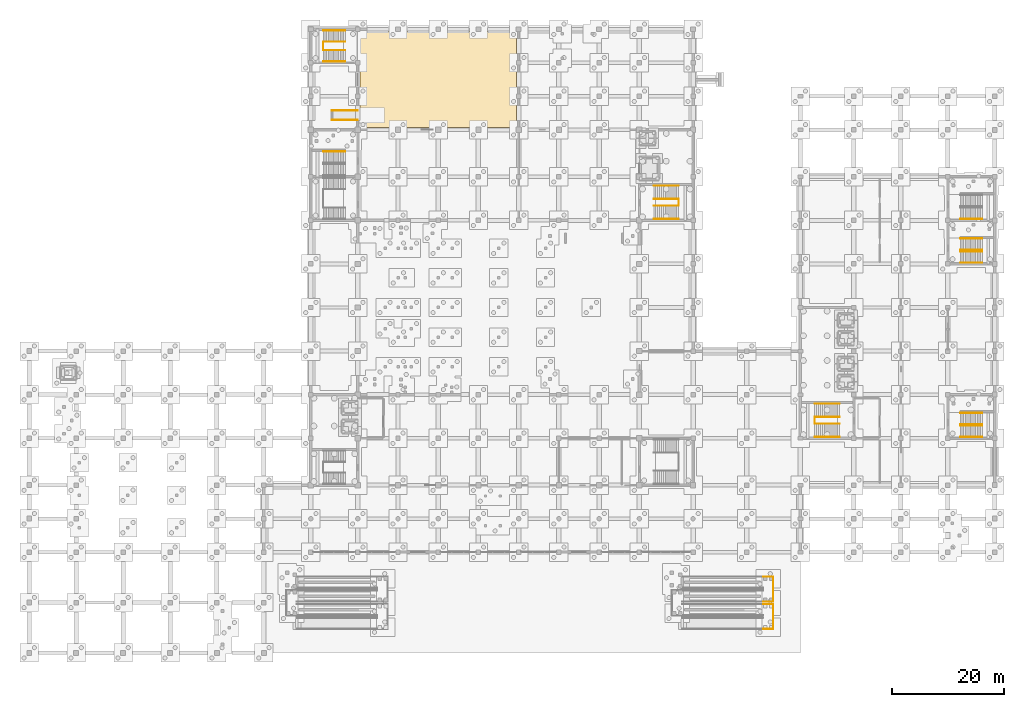
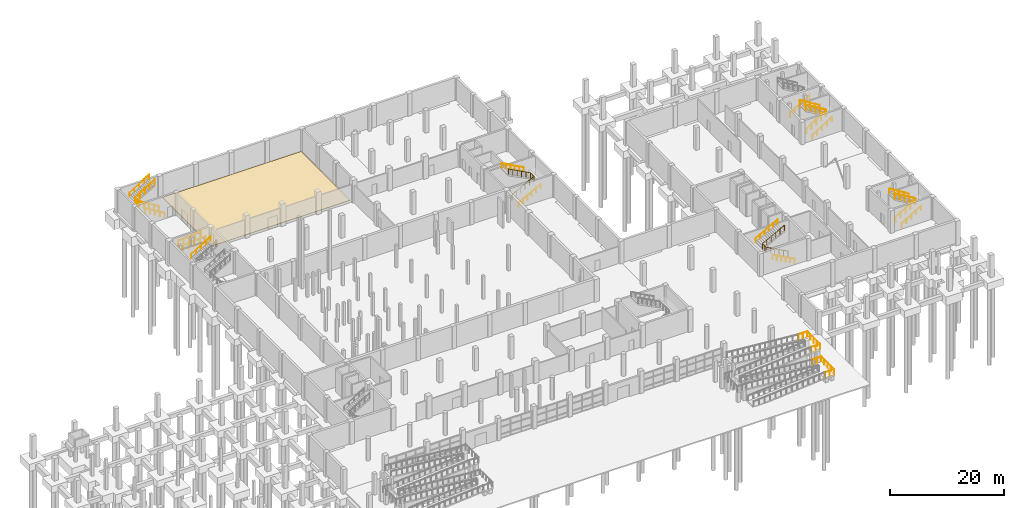
# One storey, part 40 of 42: 21 railings, 1 covering.
"""IFC4 building model written with IfcOpenShell, lengths in metres."""

import ifcopenshell
import ifcopenshell.guid

model = None  # the IFC model being written
_history = None  # IfcOwnerHistory: only IFC2X3 demands one
_inside = {}  # id of a spatial element -> (the spatial element, [elements in it])
_under = {}  # id of a project, library or spatial element -> (it, [spatial elements below it])
_declared = {}  # id of a project -> (the project, [libraries it declares])
_typed = {}  # id of a type object -> (the type object, [elements of that type])
_made_of = {}  # id of a material, layer set ... -> (it, [elements and type objects made of it])


def new_model(schema):
    """Start an empty IFC model of exactly this schema.

    Asked for "IFC4X3", IfcOpenShell would pick the latest addendum, in which some entities
    have other attributes; the version numbers below select the first issue.
    IFC2X3 requires an IfcOwnerHistory on every rooted entity: one is made here for all.
    """
    global model, _history
    if schema == "IFC4X3":
        model = ifcopenshell.file(schema_version=(4, 3, 0, 0))
    else:
        model = ifcopenshell.file(schema=schema)
    _inside.clear()
    _under.clear()
    _declared.clear()
    _typed.clear()
    _made_of.clear()
    _history = None
    if model.schema == "IFC2X3":
        org = make("IfcOrganization", Name="unknown")
        user = make(
            "IfcPersonAndOrganization",
            ThePerson=make("IfcPerson", FamilyName="unknown"),
            TheOrganization=org,
        )
        app = make(
            "IfcApplication",
            ApplicationDeveloper=org,
            Version="unknown",
            ApplicationFullName="unknown",
            ApplicationIdentifier="unknown",
        )
        _history = make(
            "IfcOwnerHistory",
            OwningUser=user,
            OwningApplication=app,
            ChangeAction="ADDED",
            CreationDate=0,
        )
    return model


def make(cls, **values):
    """One entity of the class cls with the attributes given. An attribute that is None is left unset."""
    return model.create_entity(
        cls, **{name: value for name, value in values.items() if value is not None}
    )


def rooted(cls, **values):
    """An entity with a GlobalId (a new one), such as an element, a storey or a relation."""
    return make(cls, GlobalId=ifcopenshell.guid.new(), OwnerHistory=_history, **values)


def si_unit(unit_type, name, prefix=None):
    """IfcSIUnit, for example si_unit("LENGTHUNIT", "METRE", prefix="MILLI")."""
    return make("IfcSIUnit", UnitType=unit_type, Prefix=prefix, Name=name)


def assignment(units):
    """IfcUnitAssignment: the units of a project."""
    return None if units is None else make("IfcUnitAssignment", Units=units)


def point(xyz):
    """IfcCartesianPoint."""
    return None if xyz is None else make("IfcCartesianPoint", Coordinates=xyz)


def direction(xyz):
    """IfcDirection."""
    return None if xyz is None else make("IfcDirection", DirectionRatios=xyz)


def frame(location, z_axis=None, x_axis=None):
    """IfcAxis2Placement3D, a coordinate frame: its origin and axes. An axis left out is left unset."""
    return make(
        "IfcAxis2Placement3D",
        Location=point(location),
        Axis=direction(z_axis),
        RefDirection=direction(x_axis),
    )


def frame_2d(location, x_axis=None):
    """IfcAxis2Placement2D, a coordinate frame in the plane: its origin and x axis."""
    return make(
        "IfcAxis2Placement2D", Location=point(location), RefDirection=direction(x_axis)
    )


def origin():
    """The frame at (0, 0, 0) with its axes left unset."""
    return frame((0.0, 0.0, 0.0))


def origin_2d():
    """The frame at (0, 0) in the plane with its x axis left unset."""
    return frame_2d((0.0, 0.0))


def place(relative_to, where):
    """IfcLocalPlacement: puts the frame where relative to a parent placement (None: the world)."""
    return make(
        "IfcLocalPlacement", PlacementRelTo=relative_to, RelativePlacement=where
    )


def context(
    kind, dimensions, precision=None, world=None, true_north=None, identifier=None
):
    """IfcGeometricRepresentationContext, for example the 3D "Model" context."""
    return make(
        "IfcGeometricRepresentationContext",
        ContextIdentifier=identifier,
        ContextType=kind,
        CoordinateSpaceDimension=dimensions,
        Precision=precision,
        WorldCoordinateSystem=world,
        TrueNorth=true_north,
    )


def subcontext(parent, identifier, kind, view, scale=None):
    """IfcGeometricRepresentationSubContext, for example "Body" below "Model"."""
    return make(
        "IfcGeometricRepresentationSubContext",
        ContextIdentifier=identifier,
        ContextType=kind,
        ParentContext=parent,
        TargetScale=scale,
        TargetView=view,
    )


def project(units=None, contexts=None):
    """IfcProject with its units and contexts."""
    return rooted(
        "IfcProject",
        Name="project",
        RepresentationContexts=contexts,
        UnitsInContext=assignment(units),
    )


def spatial(cls, under=None, at=None, **own):
    """A site, building, storey or space (cls), placed at a placement, below another one or the project."""
    s = rooted(cls, ObjectPlacement=at, **own)
    if under is not None:
        _under.setdefault(under.id(), (under, []))[1].append(s)
    return s


def polyline(points):
    """IfcPolyline through the points."""
    return make("IfcPolyline", Points=[point(p) for p in points])


def profile(cls, at=None, kind="AREA", **sizes):
    """A parametric profile (cls). Its sizes go by their IFC names, for example OverallWidth=200.0."""
    return make(cls, ProfileType=kind, Position=at, **sizes)


def circle(**sizes):
    """IfcCircleProfileDef."""
    return profile("IfcCircleProfileDef", **sizes)


def outline(outer, holes=None, kind="AREA"):
    """IfcArbitraryClosedProfileDef: a profile drawn as a closed curve; with holes, ...WithVoids."""
    if holes is None:
        return make("IfcArbitraryClosedProfileDef", ProfileType=kind, OuterCurve=outer)
    return make(
        "IfcArbitraryProfileDefWithVoids",
        ProfileType=kind,
        OuterCurve=outer,
        InnerCurves=holes,
    )


def extrude(swept, where, along, depth):
    """IfcExtrudedAreaSolid: the profile swept, set in the frame where, extruded along a direction by depth."""
    return make(
        "IfcExtrudedAreaSolid",
        SweptArea=swept,
        Position=where,
        ExtrudedDirection=direction(along),
        Depth=depth,
    )


def shape(context_of_items, identifier, shape_type, items):
    """IfcShapeRepresentation: the items that make up one representation, for example the "Body"."""
    return make(
        "IfcShapeRepresentation",
        ContextOfItems=context_of_items,
        RepresentationIdentifier=identifier,
        RepresentationType=shape_type,
        Items=items,
    )


def material(Name=None, Category=None):
    """IfcMaterial."""
    return make("IfcMaterial", Name=Name, Category=Category)


def layer(
    of_material, thickness, ventilated=None, Name=None, Category=None, Priority=None
):
    """IfcMaterialLayer: one layer of a wall or slab, of a material (None: an air gap)."""
    return make(
        "IfcMaterialLayer",
        Material=of_material,
        LayerThickness=thickness,
        IsVentilated=ventilated,
        Name=Name,
        Category=Category,
        Priority=Priority,
    )


def layer_set(layers, Name=None):
    """IfcMaterialLayerSet."""
    return make("IfcMaterialLayerSet", MaterialLayers=layers, LayerSetName=Name)


def made_of(thing, what):
    """Note that an element or type object is made of a material, layer set ...; save() writes the relation."""
    if what is not None:
        _made_of.setdefault(what.id(), (what, []))[1].append(thing)
    return thing


def type_object(cls, material=None, **own):
    """A type object (cls), such as IfcWallType, which elements share."""
    return made_of(rooted(cls, **own), material)


def element(
    cls,
    number,
    at=None,
    inside=None,
    cuts=None,
    type_object=None,
    material=None,
    context=None,
    identifier="Body",
    shape_type=None,
    held_by="IfcProductDefinitionShape",
    body=None,
    shapes=None,
    **own,
):
    """One element of the class cls, such as IfcWall. Its Tag is "e" and its number.

    at: its placement. inside: the storey or other place that contains it. cuts: it is an
    opening in that element (IfcRelVoidsElement). A single representation is given by context,
    identifier, shape_type and body (its items); several are given by shapes. held_by: the class
    of the entity that holds the representations. save() writes the other relations.
    """
    e = rooted(cls, Tag="e%d" % number, ObjectPlacement=at, **own)
    if body is not None:
        shapes = [shape(context, identifier, shape_type, body)]
    if shapes is not None:
        e.Representation = make(held_by, Representations=shapes)
    if inside is not None:
        _inside.setdefault(inside.id(), (inside, []))[1].append(e)
    if cuts is not None:
        rooted(
            "IfcRelVoidsElement", RelatingBuildingElement=cuts, RelatedOpeningElement=e
        )
    if type_object is not None:
        _typed.setdefault(type_object.id(), (type_object, []))[1].append(e)
    return made_of(e, material)


def aggregate(whole, parts):
    """IfcRelAggregates: a whole, such as a stair, and the parts it consists of."""
    return rooted("IfcRelAggregates", RelatingObject=whole, RelatedObjects=parts)


def save(model, path):
    """Write the relations noted so far, then the file.

    IfcRelAggregates (storeys below a building ...), IfcRelContainedInSpatialStructure (elements
    in a storey), IfcRelDefinesByType, IfcRelAssociatesMaterial and IfcRelDeclares: one each for
    every whole, place, type object, material and project.
    """
    for whole, parts in _under.values():
        aggregate(whole, parts)
    for where, things in _inside.values():
        rooted(
            "IfcRelContainedInSpatialStructure",
            RelatedElements=things,
            RelatingStructure=where,
        )
    for kind, things in _typed.values():
        rooted("IfcRelDefinesByType", RelatedObjects=things, RelatingType=kind)
    for what, things in _made_of.values():
        rooted("IfcRelAssociatesMaterial", RelatedObjects=things, RelatingMaterial=what)
    for by, libraries in _declared.values():
        rooted("IfcRelDeclares", RelatingContext=by, RelatedDefinitions=libraries)
    model.write(path)


model = new_model("IFC4")

# Units and contexts
model_context = context("Model", 3, precision=1e-05, world=origin(), true_north=direction((0.0, 1.0)))
body_context = subcontext(model_context, "Body", "Model", "MODEL_VIEW")
ifc_project = project(units=[si_unit("LENGTHUNIT", "METRE"), si_unit("AREAUNIT", "SQUARE_METRE"), si_unit("VOLUMEUNIT", "CUBIC_METRE"), si_unit("PLANEANGLEUNIT", "RADIAN"), si_unit("MASSUNIT", "GRAM", prefix="KILO")], contexts=[model_context])

# Site, building, storey
site_placement = place(None, origin())
site = spatial("IfcSite", under=ifc_project, at=site_placement, CompositionType="ELEMENT")
building_placement = place(site_placement, origin())
building = spatial("IfcBuilding", under=site, at=building_placement, Name="Pellamere Symphony Hall", CompositionType="ELEMENT")
storey_placement = place(building_placement, frame((0.0, 0.0, -4.800048828125)))
storey = spatial("IfcBuildingStorey", under=building, at=storey_placement, Name="B1", CompositionType="ELEMENT", Elevation=-4.800048828125)

# Railings
ifc_material_1 = material(Name="Painted Steel CSA G40.21 350W", Category="steel")
railing_type_1 = type_object("IfcRailingType", Name="Guardrail GR-02 H1150 Painted", PredefinedType="GUARDRAIL", material=ifc_material_1)
railing_1_placement = place(storey_placement, frame((145.02490234375, 40.989990234375, 0.0)))
element("IfcRailing", 1, at=railing_1_placement, inside=storey, type_object=railing_type_1, Name="Stair ST02-B1 Continuous Well Guardrail (B1)", PredefinedType="GUARDRAIL", context=body_context, shape_type="SweptSolid", body=[
    extrude(circle(Radius=0.02392578125, at=origin_2d()), frame((0.0, 0.0, 1.1259765625), z_axis=(-0.880139072787, 0.0, 0.47471592827), x_axis=(0.0, -1.0, 0.0)), (0.0, 0.0, 1.0), 5.055908203125),
    extrude(circle(Radius=0.02392578125, at=origin_2d()), frame((-4.449951171875, 0.0, 3.52587890625), z_axis=(0.0, 1.0, 0.0), x_axis=(-1.0, 0.0, 0.0)), (0.0, 0.0, 1.0), 1.219970703125),
    extrude(circle(Radius=0.02392578125, at=origin_2d()), frame((-4.449951171875, 1.219970703125, 3.52587890625), z_axis=(0.880159247811, 0.0, 0.474678521204), x_axis=(0.0, 1.0, 0.0)), (0.0, 0.0, 1.0), 5.055908203125),
    extrude(circle(Radius=0.02099609375, at=origin_2d()), origin(), (0.0, 0.0, 1.0), 1.101806640625),
    extrude(circle(Radius=0.02099609375, at=origin_2d()), frame((-0.889892578125, 0.0, 0.47998046875)), (0.0, 0.0, 1.0), 1.101806640625),
    extrude(circle(Radius=0.02099609375, at=origin_2d()), frame((-1.780029296875, 0.0, 0.9599609375)), (0.0, 0.0, 1.0), 1.101806640625),
    extrude(circle(Radius=0.02099609375, at=origin_2d()), frame((-2.669921875, 0.0, 1.440185546875)), (0.0, 0.0, 1.0), 1.101806640625),
    extrude(circle(Radius=0.02099609375, at=origin_2d()), frame((-3.56005859375, 0.0, 1.920166015625)), (0.0, 0.0, 1.0), 1.101806640625),
    extrude(circle(Radius=0.02099609375, at=origin_2d()), frame((-4.449951171875, 0.0, 2.400146484375)), (0.0, 0.0, 1.0), 1.101806640625),
    extrude(circle(Radius=0.02099609375, at=origin_2d()), frame((-4.449951171875, 0.60986328125, 2.400146484375)), (0.0, 0.0, 1.0), 1.101806640625),
    extrude(circle(Radius=0.02099609375, at=origin_2d()), frame((-4.449951171875, 1.219970703125, 2.400146484375)), (0.0, 0.0, 1.0), 1.101806640625),
    extrude(circle(Radius=0.02099609375, at=origin_2d()), frame((-3.56005859375, 1.219970703125, 2.880126953125)), (0.0, 0.0, 1.0), 1.101806640625),
    extrude(circle(Radius=0.02099609375, at=origin_2d()), frame((-2.669921875, 1.219970703125, 3.360107421875)), (0.0, 0.0, 1.0), 1.101806640625),
    extrude(circle(Radius=0.02099609375, at=origin_2d()), frame((-1.780029296875, 1.219970703125, 3.840087890625)), (0.0, 0.0, 1.0), 1.101806640625),
    extrude(circle(Radius=0.02099609375, at=origin_2d()), frame((-0.889892578125, 1.219970703125, 4.320068359375)), (0.0, 0.0, 1.0), 1.101806640625),
    extrude(circle(Radius=0.02099609375, at=origin_2d()), frame((0.0, 1.219970703125, 4.800048828125)), (0.0, 0.0, 1.0), 1.101806640625),
])
railing_2_placement = place(storey_placement, frame((111.77490234375, 79.989990234375, 0.0)))
element("IfcRailing", 2, at=railing_2_placement, inside=storey, type_object=railing_type_1, Name="Stair ST04-B1 Continuous Well Guardrail (B1)", PredefinedType="GUARDRAIL", context=body_context, shape_type="SweptSolid", body=[
    extrude(circle(Radius=0.02392578125, at=origin_2d()), frame((0.0, 0.0, 1.1259765625), z_axis=(0.880149953968, 0.0, 0.474695753646), x_axis=(0.0, 1.0, 0.0)), (0.0, 0.0, 1.0), 5.05615234375),
    extrude(circle(Radius=0.02392578125, at=origin_2d()), frame((4.4501953125, 0.0, 3.52587890625), z_axis=(0.0, 1.0, 0.0), x_axis=(-1.0, 0.0, 0.0)), (0.0, 0.0, 1.0), 1.219970703125),
    extrude(circle(Radius=0.02392578125, at=origin_2d()), frame((4.4501953125, 1.219970703125, 3.52587890625), z_axis=(-0.880170127527, 0.0, 0.474658347245), x_axis=(0.0, -1.0, 0.0)), (0.0, 0.0, 1.0), 5.05615234375),
    extrude(circle(Radius=0.02099609375, at=origin_2d()), origin(), (0.0, 0.0, 1.0), 1.101806640625),
    extrude(circle(Radius=0.02099609375, at=origin_2d()), frame((0.89013671875, 0.0, 0.47998046875)), (0.0, 0.0, 1.0), 1.101806640625),
    extrude(circle(Radius=0.02099609375, at=origin_2d()), frame((1.780029296875, 0.0, 0.9599609375)), (0.0, 0.0, 1.0), 1.101806640625),
    extrude(circle(Radius=0.02099609375, at=origin_2d()), frame((2.670166015625, 0.0, 1.440185546875)), (0.0, 0.0, 1.0), 1.101806640625),
    extrude(circle(Radius=0.02099609375, at=origin_2d()), frame((3.56005859375, 0.0, 1.920166015625)), (0.0, 0.0, 1.0), 1.101806640625),
    extrude(circle(Radius=0.02099609375, at=origin_2d()), frame((4.4501953125, 0.0, 2.400146484375)), (0.0, 0.0, 1.0), 1.101806640625),
    extrude(circle(Radius=0.02099609375, at=origin_2d()), frame((4.4501953125, 0.60986328125, 2.400146484375)), (0.0, 0.0, 1.0), 1.101806640625),
    extrude(circle(Radius=0.02099609375, at=origin_2d()), frame((4.4501953125, 1.219970703125, 2.400146484375)), (0.0, 0.0, 1.0), 1.101806640625),
    extrude(circle(Radius=0.02099609375, at=origin_2d()), frame((3.56005859375, 1.219970703125, 2.880126953125)), (0.0, 0.0, 1.0), 1.101806640625),
    extrude(circle(Radius=0.02099609375, at=origin_2d()), frame((2.670166015625, 1.219970703125, 3.360107421875)), (0.0, 0.0, 1.0), 1.101806640625),
    extrude(circle(Radius=0.02099609375, at=origin_2d()), frame((1.780029296875, 1.219970703125, 3.840087890625)), (0.0, 0.0, 1.0), 1.101806640625),
    extrude(circle(Radius=0.02099609375, at=origin_2d()), frame((0.89013671875, 1.219970703125, 4.320068359375)), (0.0, 0.0, 1.0), 1.101806640625),
    extrude(circle(Radius=0.02099609375, at=origin_2d()), frame((0.0, 1.219970703125, 4.800048828125)), (0.0, 0.0, 1.0), 1.101806640625),
])
railing_3_placement = place(storey_placement, frame((166.625, 71.840087890625, 0.0)))
element("IfcRailing", 3, at=railing_3_placement, inside=storey, type_object=railing_type_1, Name="Stair ST05-B1 Continuous Well Guardrail (B1)", PredefinedType="GUARDRAIL", context=body_context, shape_type="SweptSolid", body=[
    extrude(circle(Radius=0.02392578125, at=origin_2d()), frame((0.0, 0.0, 1.1259765625), z_axis=(0.854599162348, 0.0, 0.519288235679), x_axis=(0.0, 1.0, 0.0)), (0.0, 0.0, 1.0), 4.6220703125),
    extrude(circle(Radius=0.02392578125, at=origin_2d()), frame((3.949951171875, 0.0, 3.52587890625), z_axis=(0.0, 1.0, 0.0), x_axis=(-1.0, 0.0, 0.0)), (0.0, 0.0, 1.0), 0.280029296875),
    extrude(circle(Radius=0.02392578125, at=origin_2d()), frame((3.949951171875, 0.280029296875, 3.52587890625), z_axis=(-0.854622603422, 0.0, 0.519249656446), x_axis=(0.0, -1.0, 0.0)), (0.0, 0.0, 1.0), 4.621826171875),
    extrude(circle(Radius=0.02099609375, at=origin_2d()), origin(), (0.0, 0.0, 1.0), 1.101806640625),
    extrude(circle(Radius=0.02099609375, at=origin_2d()), frame((0.987548828125, 0.0, 0.60009765625)), (0.0, 0.0, 1.0), 1.101806640625),
    extrude(circle(Radius=0.02099609375, at=origin_2d()), frame((1.97509765625, 0.0, 1.2001953125)), (0.0, 0.0, 1.0), 1.101806640625),
    extrude(circle(Radius=0.02099609375, at=origin_2d()), frame((2.96240234375, 0.0, 1.800048828125)), (0.0, 0.0, 1.0), 1.101806640625),
    extrude(circle(Radius=0.02099609375, at=origin_2d()), frame((3.949951171875, 0.0, 2.400146484375)), (0.0, 0.0, 1.0), 1.101806640625),
    extrude(circle(Radius=0.02099609375, at=origin_2d()), frame((3.949951171875, 0.280029296875, 2.400146484375)), (0.0, 0.0, 1.0), 1.101806640625),
    extrude(circle(Radius=0.02099609375, at=origin_2d()), frame((2.96240234375, 0.280029296875, 3.0)), (0.0, 0.0, 1.0), 1.101806640625),
    extrude(circle(Radius=0.02099609375, at=origin_2d()), frame((1.97509765625, 0.280029296875, 3.60009765625)), (0.0, 0.0, 1.0), 1.101806640625),
    extrude(circle(Radius=0.02099609375, at=origin_2d()), frame((0.987548828125, 0.280029296875, 4.2001953125)), (0.0, 0.0, 1.0), 1.101806640625),
    extrude(circle(Radius=0.02099609375, at=origin_2d()), frame((0.0, 0.280029296875, 4.800048828125)), (0.0, 0.0, 1.0), 1.101806640625),
])
railing_4_placement = place(storey_placement, frame((166.625, 40.639892578125, 0.0)))
element("IfcRailing", 4, at=railing_4_placement, inside=storey, type_object=railing_type_1, Name="Stair ST06-B1 Continuous Well Guardrail (B1)", PredefinedType="GUARDRAIL", context=body_context, shape_type="SweptSolid", body=[
    extrude(circle(Radius=0.02392578125, at=origin_2d()), frame((0.0, 0.0, 1.1259765625), z_axis=(0.854599162348, 0.0, 0.519288235679), x_axis=(0.0, 1.0, 0.0)), (0.0, 0.0, 1.0), 4.6220703125),
    extrude(circle(Radius=0.02392578125, at=origin_2d()), frame((3.949951171875, 0.0, 3.52587890625), z_axis=(0.0, 1.0, 0.0), x_axis=(-1.0, 0.0, 0.0)), (0.0, 0.0, 1.0), 0.280029296875),
    extrude(circle(Radius=0.02392578125, at=origin_2d()), frame((3.949951171875, 0.280029296875, 3.52587890625), z_axis=(-0.854622603422, 0.0, 0.519249656446), x_axis=(0.0, -1.0, 0.0)), (0.0, 0.0, 1.0), 4.621826171875),
    extrude(circle(Radius=0.02099609375, at=origin_2d()), origin(), (0.0, 0.0, 1.0), 1.101806640625),
    extrude(circle(Radius=0.02099609375, at=origin_2d()), frame((0.987548828125, 0.0, 0.60009765625)), (0.0, 0.0, 1.0), 1.101806640625),
    extrude(circle(Radius=0.02099609375, at=origin_2d()), frame((1.97509765625, 0.0, 1.2001953125)), (0.0, 0.0, 1.0), 1.101806640625),
    extrude(circle(Radius=0.02099609375, at=origin_2d()), frame((2.96240234375, 0.0, 1.800048828125)), (0.0, 0.0, 1.0), 1.101806640625),
    extrude(circle(Radius=0.02099609375, at=origin_2d()), frame((3.949951171875, 0.0, 2.400146484375)), (0.0, 0.0, 1.0), 1.101806640625),
    extrude(circle(Radius=0.02099609375, at=origin_2d()), frame((3.949951171875, 0.280029296875, 2.400146484375)), (0.0, 0.0, 1.0), 1.101806640625),
    extrude(circle(Radius=0.02099609375, at=origin_2d()), frame((2.96240234375, 0.280029296875, 3.0)), (0.0, 0.0, 1.0), 1.101806640625),
    extrude(circle(Radius=0.02099609375, at=origin_2d()), frame((1.97509765625, 0.280029296875, 3.60009765625)), (0.0, 0.0, 1.0), 1.101806640625),
    extrude(circle(Radius=0.02099609375, at=origin_2d()), frame((0.987548828125, 0.280029296875, 4.2001953125)), (0.0, 0.0, 1.0), 1.101806640625),
    extrude(circle(Radius=0.02099609375, at=origin_2d()), frame((0.0, 0.280029296875, 4.800048828125)), (0.0, 0.0, 1.0), 1.101806640625),
])
railing_5_placement = place(storey_placement, frame((56.574951171875, 107.840087890625, 0.0)))
element("IfcRailing", 5, at=railing_5_placement, inside=storey, type_object=railing_type_1, Name="Stair ST10-B1 Continuous Well Guardrail (B1)", PredefinedType="GUARDRAIL", context=body_context, shape_type="SweptSolid", body=[
    extrude(circle(Radius=0.02392578125, at=origin_2d()), frame((0.0, 0.0, 1.1259765625), z_axis=(-0.854599162348, 0.0, 0.519288235679), x_axis=(0.0, -1.0, 0.0)), (0.0, 0.0, 1.0), 4.6220703125),
    extrude(circle(Radius=0.02392578125, at=origin_2d()), frame((-3.949951171875, 0.0, 3.52587890625), z_axis=(0.0, 1.0, 0.0), x_axis=(-1.0, 0.0, 0.0)), (0.0, 0.0, 1.0), 1.52001953125),
    extrude(circle(Radius=0.02392578125, at=origin_2d()), frame((-3.949951171875, 1.52001953125, 3.52587890625), z_axis=(0.854622603422, 0.0, 0.519249656446), x_axis=(0.0, 1.0, 0.0)), (0.0, 0.0, 1.0), 4.621826171875),
    extrude(circle(Radius=0.02099609375, at=origin_2d()), origin(), (0.0, 0.0, 1.0), 1.101806640625),
    extrude(circle(Radius=0.02099609375, at=origin_2d()), frame((-0.987548828125, 0.0, 0.60009765625)), (0.0, 0.0, 1.0), 1.101806640625),
    extrude(circle(Radius=0.02099609375, at=origin_2d()), frame((-1.97509765625, 0.0, 1.2001953125)), (0.0, 0.0, 1.0), 1.101806640625),
    extrude(circle(Radius=0.02099609375, at=origin_2d()), frame((-2.96240234375, 0.0, 1.800048828125)), (0.0, 0.0, 1.0), 1.101806640625),
    extrude(circle(Radius=0.02099609375, at=origin_2d()), frame((-3.949951171875, 0.0, 2.400146484375)), (0.0, 0.0, 1.0), 1.101806640625),
    extrude(circle(Radius=0.02099609375, at=origin_2d()), frame((-3.949951171875, 0.760009765625, 2.400146484375)), (0.0, 0.0, 1.0), 1.101806640625),
    extrude(circle(Radius=0.02099609375, at=origin_2d()), frame((-3.949951171875, 1.52001953125, 2.400146484375)), (0.0, 0.0, 1.0), 1.101806640625),
    extrude(circle(Radius=0.02099609375, at=origin_2d()), frame((-2.96240234375, 1.52001953125, 3.0)), (0.0, 0.0, 1.0), 1.101806640625),
    extrude(circle(Radius=0.02099609375, at=origin_2d()), frame((-1.97509765625, 1.52001953125, 3.60009765625)), (0.0, 0.0, 1.0), 1.101806640625),
    extrude(circle(Radius=0.02099609375, at=origin_2d()), frame((-0.987548828125, 1.52001953125, 4.2001953125)), (0.0, 0.0, 1.0), 1.101806640625),
    extrude(circle(Radius=0.02099609375, at=origin_2d()), frame((0.0, 1.52001953125, 4.800048828125)), (0.0, 0.0, 1.0), 1.101806640625),
])
railing_6_placement = place(storey_placement, frame((131.35009765625, 4.25, 1.199951171875)))
element("IfcRailing", 6, at=railing_6_placement, inside=storey, type_object=railing_type_1, Name="Ramp RMP-02 Landing 1 Perimeter Guard", PredefinedType="GUARDRAIL", context=body_context, shape_type="SweptSolid", body=[
    extrude(circle(Radius=0.02392578125, at=origin_2d()), frame((0.0, 0.0, 1.1259765625), z_axis=(1.0, 0.0, 0.0), x_axis=(0.0, 1.0, 0.0)), (0.0, 0.0, 1.0), 1.7998046875),
    extrude(circle(Radius=0.02392578125, at=origin_2d()), frame((1.7998046875, 0.0, 1.1259765625), z_axis=(0.0, 1.0, 0.0), x_axis=(-1.0, 0.0, 0.0)), (0.0, 0.0, 1.0), 4.449951171875),
    extrude(circle(Radius=0.02392578125, at=origin_2d()), frame((1.7998046875, 4.449951171875, 1.1259765625), z_axis=(-1.0, 0.0, 0.0), x_axis=(0.0, -1.0, 0.0)), (0.0, 0.0, 1.0), 1.7998046875),
    extrude(circle(Radius=0.02099609375, at=origin_2d()), origin(), (0.0, 0.0, 1.0), 1.101806640625),
    extrude(circle(Radius=0.02099609375, at=origin_2d()), frame((0.89990234375, 0.0, 0.0)), (0.0, 0.0, 1.0), 1.101806640625),
    extrude(circle(Radius=0.02099609375, at=origin_2d()), frame((1.7998046875, 0.0, 0.0)), (0.0, 0.0, 1.0), 1.101806640625),
    extrude(circle(Radius=0.02099609375, at=origin_2d()), frame((1.7998046875, 1.112548828125, 0.0)), (0.0, 0.0, 1.0), 1.101806640625),
    extrude(circle(Radius=0.02099609375, at=origin_2d()), frame((1.7998046875, 2.22509765625, 0.0)), (0.0, 0.0, 1.0), 1.101806640625),
    extrude(circle(Radius=0.02099609375, at=origin_2d()), frame((1.7998046875, 3.33740234375, 0.0)), (0.0, 0.0, 1.0), 1.101806640625),
    extrude(circle(Radius=0.02099609375, at=origin_2d()), frame((1.7998046875, 4.449951171875, 0.0)), (0.0, 0.0, 1.0), 1.101806640625),
    extrude(circle(Radius=0.02099609375, at=origin_2d()), frame((0.89990234375, 4.449951171875, 0.0)), (0.0, 0.0, 1.0), 1.101806640625),
    extrude(circle(Radius=0.02099609375, at=origin_2d()), frame((0.0, 4.449951171875, 0.0)), (0.0, 0.0, 1.0), 1.101806640625),
])
railing_7_placement = place(storey_placement, frame((131.35009765625, 9.14990234375, 3.60009765625)))
element("IfcRailing", 7, at=railing_7_placement, inside=storey, type_object=railing_type_1, Name="Ramp RMP-02 Landing 3 Perimeter Guard", PredefinedType="GUARDRAIL", context=body_context, shape_type="SweptSolid", body=[
    extrude(circle(Radius=0.02392578125, at=origin_2d()), frame((0.0, 0.0, 1.1259765625), z_axis=(1.0, 0.0, 0.0), x_axis=(0.0, 1.0, 0.0)), (0.0, 0.0, 1.0), 1.7998046875),
    extrude(circle(Radius=0.02392578125, at=origin_2d()), frame((1.7998046875, 0.0, 1.1259765625), z_axis=(0.0, 1.0, 0.0), x_axis=(-1.0, 0.0, 0.0)), (0.0, 0.0, 1.0), 4.4501953125),
    extrude(circle(Radius=0.02392578125, at=origin_2d()), frame((1.7998046875, 4.4501953125, 1.1259765625), z_axis=(-1.0, 0.0, 0.0), x_axis=(0.0, -1.0, 0.0)), (0.0, 0.0, 1.0), 1.7998046875),
    extrude(circle(Radius=0.02099609375, at=origin_2d()), origin(), (0.0, 0.0, 1.0), 1.101806640625),
    extrude(circle(Radius=0.02099609375, at=origin_2d()), frame((0.89990234375, 0.0, 0.0)), (0.0, 0.0, 1.0), 1.101806640625),
    extrude(circle(Radius=0.02099609375, at=origin_2d()), frame((1.7998046875, 0.0, 0.0)), (0.0, 0.0, 1.0), 1.101806640625),
    extrude(circle(Radius=0.02099609375, at=origin_2d()), frame((1.7998046875, 1.112548828125, 0.0)), (0.0, 0.0, 1.0), 1.101806640625),
    extrude(circle(Radius=0.02099609375, at=origin_2d()), frame((1.7998046875, 2.22509765625, 0.0)), (0.0, 0.0, 1.0), 1.101806640625),
    extrude(circle(Radius=0.02099609375, at=origin_2d()), frame((1.7998046875, 3.337646484375, 0.0)), (0.0, 0.0, 1.0), 1.101806640625),
    extrude(circle(Radius=0.02099609375, at=origin_2d()), frame((1.7998046875, 4.4501953125, 0.0)), (0.0, 0.0, 1.0), 1.101806640625),
    extrude(circle(Radius=0.02099609375, at=origin_2d()), frame((0.89990234375, 4.4501953125, 0.0)), (0.0, 0.0, 1.0), 1.101806640625),
    extrude(circle(Radius=0.02099609375, at=origin_2d()), frame((0.0, 4.4501953125, 0.0)), (0.0, 0.0, 1.0), 1.101806640625),
])
for number, where, name in (
    (8, (54.199951171875, 95.35009765625, 0.0), "Recording Studio Floating Slab Threshold Ramp Handrail A"),
    (9, (54.199951171875, 97.050048828125, 0.0), "Recording Studio Floating Slab Threshold Ramp Handrail B"),
):
    element("IfcRailing", number, at=place(storey_placement, frame(where)), inside=storey, type_object=railing_type_1, Name=name, PredefinedType="GUARDRAIL", context=body_context, shape_type="SweptSolid", body=[
        extrude(circle(Radius=0.02392578125, at=origin_2d()), frame((0.0, 0.0, 1.1259765625), z_axis=(0.996603152989, 0.0, 0.082353842968), x_axis=(0.0, 1.0, 0.0)), (0.0, 0.0, 1.0), 4.61572265625),
        extrude(circle(Radius=0.02099609375, at=origin_2d()), origin(), (0.0, 0.0, 1.0), 1.101806640625),
        extrude(circle(Radius=0.02099609375, at=origin_2d()), frame((1.14990234375, 0.0, 0.094970703125)), (0.0, 0.0, 1.0), 1.101806640625),
        extrude(circle(Radius=0.02099609375, at=origin_2d()), frame((2.300048828125, 0.0, 0.18994140625)), (0.0, 0.0, 1.0), 1.101806640625),
        extrude(circle(Radius=0.02099609375, at=origin_2d()), frame((3.4501953125, 0.0, 0.28515625)), (0.0, 0.0, 1.0), 1.101806640625),
        extrude(circle(Radius=0.02099609375, at=origin_2d()), frame((4.60009765625, 0.0, 0.380126953125)), (0.0, 0.0, 1.0), 1.101806640625),
    ])
ifc_material_2 = material(Name="Stainless Steel AISI 316", Category="steel")
railing_type_2 = type_object("IfcRailingType", Name="Handrail HR-01 H920 Stainless", PredefinedType="HANDRAIL", material=ifc_material_2)
railing_8_placement = place(storey_placement, frame((145.02490234375, 38.6201171875, 0.0)))
element("IfcRailing", 10, at=railing_8_placement, inside=storey, type_object=railing_type_2, Name="Stair ST02-B1 Lower Wall Handrail (B1)", PredefinedType="HANDRAIL", context=body_context, shape_type="SweptSolid", body=[
    extrude(circle(Radius=0.02392578125, at=origin_2d()), frame((0.0, 0.0, 0.89599609375), z_axis=(-0.880139072787, 0.0, 0.47471592827), x_axis=(0.0, -1.0, 0.0)), (0.0, 0.0, 1.0), 5.055908203125),
    extrude(circle(Radius=0.02099609375, at=origin_2d()), origin(), (0.0, 0.0, 1.0), 0.871826171875),
    extrude(circle(Radius=0.02099609375, at=origin_2d()), frame((-0.889892578125, 0.0, 0.47998046875)), (0.0, 0.0, 1.0), 0.871826171875),
    extrude(circle(Radius=0.02099609375, at=origin_2d()), frame((-1.780029296875, 0.0, 0.9599609375)), (0.0, 0.0, 1.0), 0.871826171875),
    extrude(circle(Radius=0.02099609375, at=origin_2d()), frame((-2.669921875, 0.0, 1.440185546875)), (0.0, 0.0, 1.0), 0.871826171875),
    extrude(circle(Radius=0.02099609375, at=origin_2d()), frame((-3.56005859375, 0.0, 1.920166015625)), (0.0, 0.0, 1.0), 0.871826171875),
    extrude(circle(Radius=0.02099609375, at=origin_2d()), frame((-4.449951171875, 0.0, 2.400146484375)), (0.0, 0.0, 1.0), 0.871826171875),
])
railing_9_placement = place(storey_placement, frame((140.574951171875, 44.580078125, 2.400146484375)))
element("IfcRailing", 11, at=railing_9_placement, inside=storey, type_object=railing_type_2, Name="Stair ST02-B1 Upper Wall Handrail (B1)", PredefinedType="HANDRAIL", context=body_context, shape_type="SweptSolid", body=[
    extrude(circle(Radius=0.02392578125, at=origin_2d()), frame((0.0, 0.0, 0.89599609375), z_axis=(0.880159247811, 0.0, 0.474678521204), x_axis=(0.0, 1.0, 0.0)), (0.0, 0.0, 1.0), 5.055908203125),
    extrude(circle(Radius=0.02099609375, at=origin_2d()), origin(), (0.0, 0.0, 1.0), 0.871826171875),
    extrude(circle(Radius=0.02099609375, at=origin_2d()), frame((0.889892578125, 0.0, 0.47998046875)), (0.0, 0.0, 1.0), 0.871826171875),
    extrude(circle(Radius=0.02099609375, at=origin_2d()), frame((1.780029296875, 0.0, 0.9599609375)), (0.0, 0.0, 1.0), 0.871826171875),
    extrude(circle(Radius=0.02099609375, at=origin_2d()), frame((2.669921875, 0.0, 1.43994140625)), (0.0, 0.0, 1.0), 0.871826171875),
    extrude(circle(Radius=0.02099609375, at=origin_2d()), frame((3.56005859375, 0.0, 1.919921875)), (0.0, 0.0, 1.0), 0.871826171875),
    extrude(circle(Radius=0.02099609375, at=origin_2d()), frame((4.449951171875, 0.0, 2.39990234375)), (0.0, 0.0, 1.0), 0.871826171875),
])
railing_10_placement = place(storey_placement, frame((111.77490234375, 77.6201171875, 0.0)))
element("IfcRailing", 12, at=railing_10_placement, inside=storey, type_object=railing_type_2, Name="Stair ST04-B1 Lower Wall Handrail (B1)", PredefinedType="HANDRAIL", context=body_context, shape_type="SweptSolid", body=[
    extrude(circle(Radius=0.02392578125, at=origin_2d()), frame((0.0, 0.0, 0.89599609375), z_axis=(0.880149953968, 0.0, 0.474695753646), x_axis=(0.0, 1.0, 0.0)), (0.0, 0.0, 1.0), 5.05615234375),
    extrude(circle(Radius=0.02099609375, at=origin_2d()), origin(), (0.0, 0.0, 1.0), 0.871826171875),
    extrude(circle(Radius=0.02099609375, at=origin_2d()), frame((0.89013671875, 0.0, 0.47998046875)), (0.0, 0.0, 1.0), 0.871826171875),
    extrude(circle(Radius=0.02099609375, at=origin_2d()), frame((1.780029296875, 0.0, 0.9599609375)), (0.0, 0.0, 1.0), 0.871826171875),
    extrude(circle(Radius=0.02099609375, at=origin_2d()), frame((2.670166015625, 0.0, 1.440185546875)), (0.0, 0.0, 1.0), 0.871826171875),
    extrude(circle(Radius=0.02099609375, at=origin_2d()), frame((3.56005859375, 0.0, 1.920166015625)), (0.0, 0.0, 1.0), 0.871826171875),
    extrude(circle(Radius=0.02099609375, at=origin_2d()), frame((4.4501953125, 0.0, 2.400146484375)), (0.0, 0.0, 1.0), 0.871826171875),
])
railing_11_placement = place(storey_placement, frame((116.22509765625, 83.580078125, 2.400146484375)))
element("IfcRailing", 13, at=railing_11_placement, inside=storey, type_object=railing_type_2, Name="Stair ST04-B1 Upper Wall Handrail (B1)", PredefinedType="HANDRAIL", context=body_context, shape_type="SweptSolid", body=[
    extrude(circle(Radius=0.02392578125, at=origin_2d()), frame((0.0, 0.0, 0.89599609375), z_axis=(-0.880170127527, 0.0, 0.474658347245), x_axis=(0.0, -1.0, 0.0)), (0.0, 0.0, 1.0), 5.05615234375),
    extrude(circle(Radius=0.02099609375, at=origin_2d()), origin(), (0.0, 0.0, 1.0), 0.871826171875),
    extrude(circle(Radius=0.02099609375, at=origin_2d()), frame((-0.89013671875, 0.0, 0.47998046875)), (0.0, 0.0, 1.0), 0.871826171875),
    extrude(circle(Radius=0.02099609375, at=origin_2d()), frame((-1.780029296875, 0.0, 0.9599609375)), (0.0, 0.0, 1.0), 0.871826171875),
    extrude(circle(Radius=0.02099609375, at=origin_2d()), frame((-2.670166015625, 0.0, 1.43994140625)), (0.0, 0.0, 1.0), 0.871826171875),
    extrude(circle(Radius=0.02099609375, at=origin_2d()), frame((-3.56005859375, 0.0, 1.919921875)), (0.0, 0.0, 1.0), 0.871826171875),
    extrude(circle(Radius=0.02099609375, at=origin_2d()), frame((-4.4501953125, 0.0, 2.39990234375)), (0.0, 0.0, 1.0), 0.871826171875),
])
railing_12_placement = place(storey_placement, frame((166.625, 69.820068359375, 0.0)))
element("IfcRailing", 14, at=railing_12_placement, inside=storey, type_object=railing_type_2, Name="Stair ST05-B1 Lower Wall Handrail (B1)", PredefinedType="HANDRAIL", context=body_context, shape_type="SweptSolid", body=[
    extrude(circle(Radius=0.02392578125, at=origin_2d()), frame((0.0, 0.0, 0.89599609375), z_axis=(0.854599162348, 0.0, 0.519288235679), x_axis=(0.0, 1.0, 0.0)), (0.0, 0.0, 1.0), 4.6220703125),
    extrude(circle(Radius=0.02099609375, at=origin_2d()), origin(), (0.0, 0.0, 1.0), 0.871826171875),
    extrude(circle(Radius=0.02099609375, at=origin_2d()), frame((0.987548828125, 0.0, 0.60009765625)), (0.0, 0.0, 1.0), 0.871826171875),
    extrude(circle(Radius=0.02099609375, at=origin_2d()), frame((1.97509765625, 0.0, 1.2001953125)), (0.0, 0.0, 1.0), 0.871826171875),
    extrude(circle(Radius=0.02099609375, at=origin_2d()), frame((2.96240234375, 0.0, 1.800048828125)), (0.0, 0.0, 1.0), 0.871826171875),
    extrude(circle(Radius=0.02099609375, at=origin_2d()), frame((3.949951171875, 0.0, 2.400146484375)), (0.0, 0.0, 1.0), 0.871826171875),
])
railing_13_placement = place(storey_placement, frame((170.574951171875, 74.139892578125, 2.400146484375)))
element("IfcRailing", 15, at=railing_13_placement, inside=storey, type_object=railing_type_2, Name="Stair ST05-B1 Upper Wall Handrail (B1)", PredefinedType="HANDRAIL", context=body_context, shape_type="SweptSolid", body=[
    extrude(circle(Radius=0.02392578125, at=origin_2d()), frame((0.0, 0.0, 0.89599609375), z_axis=(-0.854622603422, 0.0, 0.519249656446), x_axis=(0.0, -1.0, 0.0)), (0.0, 0.0, 1.0), 4.621826171875),
    extrude(circle(Radius=0.02099609375, at=origin_2d()), origin(), (0.0, 0.0, 1.0), 0.871826171875),
    extrude(circle(Radius=0.02099609375, at=origin_2d()), frame((-0.987548828125, 0.0, 0.60009765625)), (0.0, 0.0, 1.0), 0.871826171875),
    extrude(circle(Radius=0.02099609375, at=origin_2d()), frame((-1.97509765625, 0.0, 1.199951171875)), (0.0, 0.0, 1.0), 0.871826171875),
    extrude(circle(Radius=0.02099609375, at=origin_2d()), frame((-2.96240234375, 0.0, 1.7998046875)), (0.0, 0.0, 1.0), 0.871826171875),
    extrude(circle(Radius=0.02099609375, at=origin_2d()), frame((-3.949951171875, 0.0, 2.39990234375)), (0.0, 0.0, 1.0), 0.871826171875),
])
railing_14_placement = place(storey_placement, frame((166.625, 38.6201171875, 0.0)))
element("IfcRailing", 16, at=railing_14_placement, inside=storey, type_object=railing_type_2, Name="Stair ST06-B1 Lower Wall Handrail (B1)", PredefinedType="HANDRAIL", context=body_context, shape_type="SweptSolid", body=[
    extrude(circle(Radius=0.02392578125, at=origin_2d()), frame((0.0, 0.0, 0.89599609375), z_axis=(0.854599162348, 0.0, 0.519288235679), x_axis=(0.0, 1.0, 0.0)), (0.0, 0.0, 1.0), 4.6220703125),
    extrude(circle(Radius=0.02099609375, at=origin_2d()), origin(), (0.0, 0.0, 1.0), 0.871826171875),
    extrude(circle(Radius=0.02099609375, at=origin_2d()), frame((0.987548828125, 0.0, 0.60009765625)), (0.0, 0.0, 1.0), 0.871826171875),
    extrude(circle(Radius=0.02099609375, at=origin_2d()), frame((1.97509765625, 0.0, 1.2001953125)), (0.0, 0.0, 1.0), 0.871826171875),
    extrude(circle(Radius=0.02099609375, at=origin_2d()), frame((2.96240234375, 0.0, 1.800048828125)), (0.0, 0.0, 1.0), 0.871826171875),
    extrude(circle(Radius=0.02099609375, at=origin_2d()), frame((3.949951171875, 0.0, 2.400146484375)), (0.0, 0.0, 1.0), 0.871826171875),
])
railing_15_placement = place(storey_placement, frame((170.574951171875, 42.93994140625, 2.400146484375)))
element("IfcRailing", 17, at=railing_15_placement, inside=storey, type_object=railing_type_2, Name="Stair ST06-B1 Upper Wall Handrail (B1)", PredefinedType="HANDRAIL", context=body_context, shape_type="SweptSolid", body=[
    extrude(circle(Radius=0.02392578125, at=origin_2d()), frame((0.0, 0.0, 0.89599609375), z_axis=(-0.854622603422, 0.0, 0.519249656446), x_axis=(0.0, -1.0, 0.0)), (0.0, 0.0, 1.0), 4.621826171875),
    extrude(circle(Radius=0.02099609375, at=origin_2d()), origin(), (0.0, 0.0, 1.0), 0.871826171875),
    extrude(circle(Radius=0.02099609375, at=origin_2d()), frame((-0.987548828125, 0.0, 0.60009765625)), (0.0, 0.0, 1.0), 0.871826171875),
    extrude(circle(Radius=0.02099609375, at=origin_2d()), frame((-1.97509765625, 0.0, 1.199951171875)), (0.0, 0.0, 1.0), 0.871826171875),
    extrude(circle(Radius=0.02099609375, at=origin_2d()), frame((-2.96240234375, 0.0, 1.7998046875)), (0.0, 0.0, 1.0), 0.871826171875),
    extrude(circle(Radius=0.02099609375, at=origin_2d()), frame((-3.949951171875, 0.0, 2.39990234375)), (0.0, 0.0, 1.0), 0.871826171875),
])
railing_16_placement = place(storey_placement, frame((56.574951171875, 105.820068359375, 0.0)))
element("IfcRailing", 18, at=railing_16_placement, inside=storey, type_object=railing_type_2, Name="Stair ST10-B1 Lower Wall Handrail (B1)", PredefinedType="HANDRAIL", context=body_context, shape_type="SweptSolid", body=[
    extrude(circle(Radius=0.02392578125, at=origin_2d()), frame((0.0, 0.0, 0.89599609375), z_axis=(-0.854599162348, 0.0, 0.519288235679), x_axis=(0.0, -1.0, 0.0)), (0.0, 0.0, 1.0), 4.6220703125),
    extrude(circle(Radius=0.02099609375, at=origin_2d()), origin(), (0.0, 0.0, 1.0), 0.871826171875),
    extrude(circle(Radius=0.02099609375, at=origin_2d()), frame((-0.987548828125, 0.0, 0.60009765625)), (0.0, 0.0, 1.0), 0.871826171875),
    extrude(circle(Radius=0.02099609375, at=origin_2d()), frame((-1.97509765625, 0.0, 1.2001953125)), (0.0, 0.0, 1.0), 0.871826171875),
    extrude(circle(Radius=0.02099609375, at=origin_2d()), frame((-2.96240234375, 0.0, 1.800048828125)), (0.0, 0.0, 1.0), 0.871826171875),
    extrude(circle(Radius=0.02099609375, at=origin_2d()), frame((-3.949951171875, 0.0, 2.400146484375)), (0.0, 0.0, 1.0), 0.871826171875),
])
for number, where, name in (
    (19, (52.625, 111.3798828125, 2.400146484375), "Stair ST10-B1 Upper Wall Handrail (B1)"),
    (20, (52.625, 89.739990234375, 2.400146484375), "Stair ST13-B1 Upper Wall Handrail (B1)"),
):
    element("IfcRailing", number, at=place(storey_placement, frame(where)), inside=storey, type_object=railing_type_2, Name=name, PredefinedType="HANDRAIL", context=body_context, shape_type="SweptSolid", body=[
        extrude(circle(Radius=0.02392578125, at=origin_2d()), frame((0.0, 0.0, 0.89599609375), z_axis=(0.854622603422, 0.0, 0.519249656446), x_axis=(0.0, 1.0, 0.0)), (0.0, 0.0, 1.0), 4.621826171875),
        extrude(circle(Radius=0.02099609375, at=origin_2d()), origin(), (0.0, 0.0, 1.0), 0.871826171875),
        extrude(circle(Radius=0.02099609375, at=origin_2d()), frame((0.987548828125, 0.0, 0.60009765625)), (0.0, 0.0, 1.0), 0.871826171875),
        extrude(circle(Radius=0.02099609375, at=origin_2d()), frame((1.97509765625, 0.0, 1.199951171875)), (0.0, 0.0, 1.0), 0.871826171875),
        extrude(circle(Radius=0.02099609375, at=origin_2d()), frame((2.96240234375, 0.0, 1.7998046875)), (0.0, 0.0, 1.0), 0.871826171875),
        extrude(circle(Radius=0.02099609375, at=origin_2d()), frame((3.949951171875, 0.0, 2.39990234375)), (0.0, 0.0, 1.0), 0.871826171875),
    ])
railing_17_placement = place(storey_placement, frame((166.625, 77.6201171875, 0.0)))
element("IfcRailing", 21, at=railing_17_placement, inside=storey, type_object=railing_type_2, Name="Stair ST14-B1 Lower Wall Handrail (B1)", PredefinedType="HANDRAIL", context=body_context, shape_type="SweptSolid", body=[
    extrude(circle(Radius=0.02392578125, at=origin_2d()), frame((0.0, 0.0, 0.89599609375), z_axis=(0.854599162348, 0.0, 0.519288235679), x_axis=(0.0, 1.0, 0.0)), (0.0, 0.0, 1.0), 4.6220703125),
    extrude(circle(Radius=0.02099609375, at=origin_2d()), origin(), (0.0, 0.0, 1.0), 0.871826171875),
    extrude(circle(Radius=0.02099609375, at=origin_2d()), frame((0.987548828125, 0.0, 0.60009765625)), (0.0, 0.0, 1.0), 0.871826171875),
    extrude(circle(Radius=0.02099609375, at=origin_2d()), frame((1.97509765625, 0.0, 1.2001953125)), (0.0, 0.0, 1.0), 0.871826171875),
    extrude(circle(Radius=0.02099609375, at=origin_2d()), frame((2.96240234375, 0.0, 1.800048828125)), (0.0, 0.0, 1.0), 0.871826171875),
    extrude(circle(Radius=0.02099609375, at=origin_2d()), frame((3.949951171875, 0.0, 2.400146484375)), (0.0, 0.0, 1.0), 0.871826171875),
])

# Covering
ifc_material_3 = material(Name="Elastomeric-Isolated Floating Acoustic Studio Floor", Category="concrete")
ifc_layer = layer(ifc_material_3, 0.094970703125, Name="Elastomeric-Isolated Floating Acoustic Studio Floor")
ifc_layer_set = layer_set([ifc_layer], Name="Elastomeric-Isolated Floating Acoustic Studio Floor")
covering_type = type_object("IfcCoveringType", Name="Interior Covering FL-03 95mm", PredefinedType="FLOORING", material=ifc_layer_set)
covering_placement = place(storey_placement, origin())
element("IfcCovering", 22, at=covering_placement, inside=storey, type_object=covering_type, Name="Recording Studio Elastomeric Floating Acoustic Floor", PredefinedType="FLOORING", context=body_context, shape_type="SweptSolid", body=[
    extrude(outline(polyline([(59.199951171875, 94.0), (87.199951171875, 94.0), (87.199951171875, 111.199951171875), (59.199951171875, 111.199951171875), (59.199951171875, 94.0)])), origin(), (0.0, 0.0, 1.0), 0.094970703125),
])

save(model, "model.ifc")
